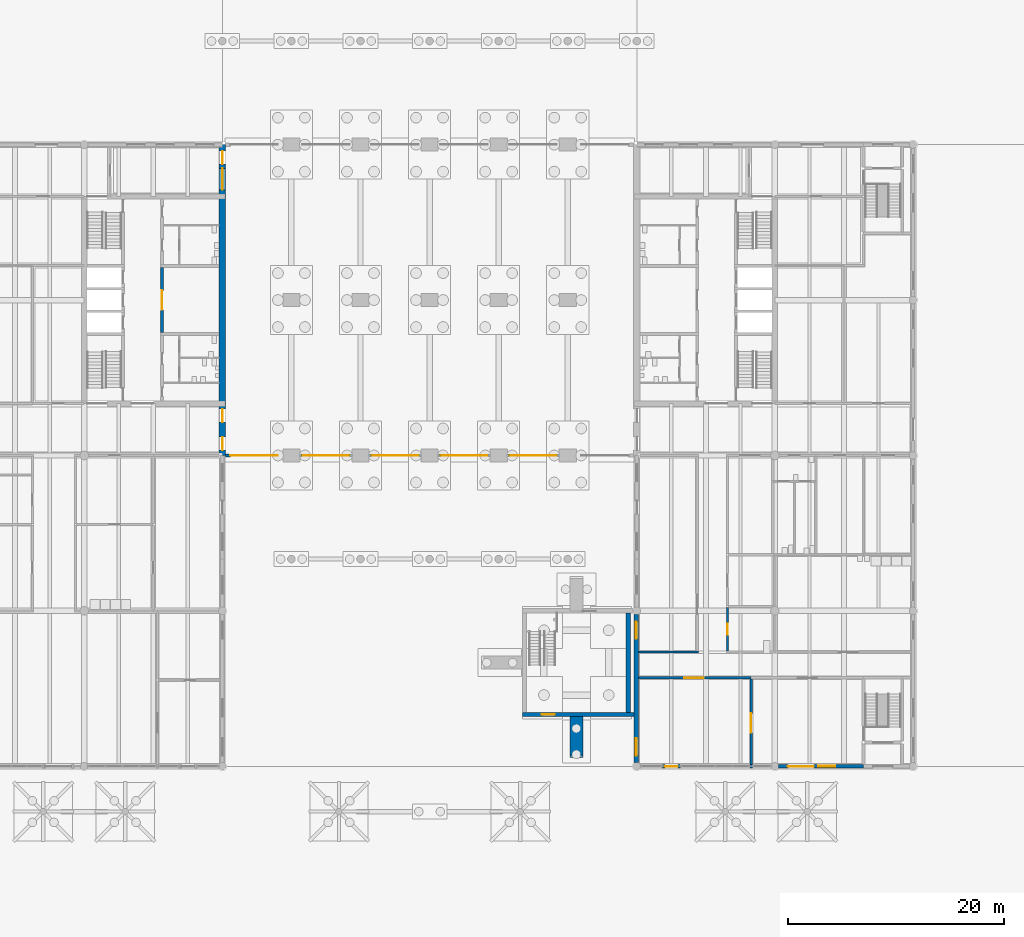
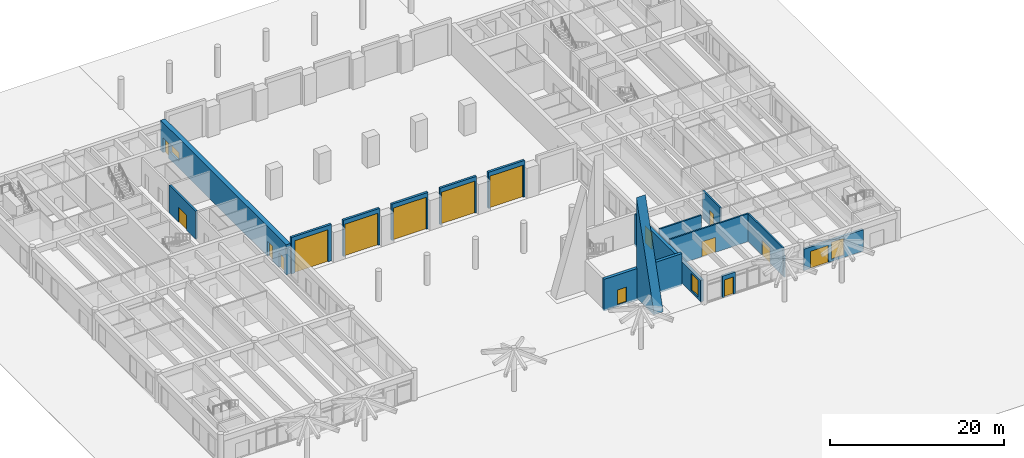
# One storey, part 15 of 28: 18 walls, 15 doors, 4 windows, 19 openings.
"""IFC4 building model written with IfcOpenShell, lengths in metres."""

from ifc_helpers import new_model, si_unit, direction, frame, frame_2d, origin, place, context, subcontext, project, spatial, polyline, rectangle, outline, extrude, material, layer, layer_set, type_object, element, fill, save


model = new_model("IFC4")

# Units and contexts
model_context = context("Model", 3, precision=1e-05, world=origin(), true_north=direction((0.0, 1.0)))
body_context = subcontext(model_context, "Body", "Model", "MODEL_VIEW")
ifc_project = project(units=[si_unit("LENGTHUNIT", "METRE"), si_unit("AREAUNIT", "SQUARE_METRE"), si_unit("VOLUMEUNIT", "CUBIC_METRE"), si_unit("PLANEANGLEUNIT", "RADIAN"), si_unit("MASSUNIT", "GRAM", prefix="KILO")], contexts=[model_context])

# Site, building, storey
site_placement = place(None, origin())
site = spatial("IfcSite", under=ifc_project, at=site_placement, CompositionType="ELEMENT")
building_placement = place(site_placement, origin())
building = spatial("IfcBuilding", under=site, at=building_placement, Name="Fogon Plaza Fire Station and Headquarters Tower", CompositionType="ELEMENT")
storey_placement = place(building_placement, origin())
storey = spatial("IfcBuildingStorey", under=building, at=storey_placement, Name="L00", CompositionType="ELEMENT", Elevation=0.0)

# Wall, opening, door
ifc_material_1 = material(Name="Concrete C40", Category="concrete")
ifc_layer_1 = layer(ifc_material_1, 0.300048828125)
ifc_layer_set_1 = layer_set([ifc_layer_1], Name="Concrete C40")
wall_type_1 = type_object("IfcWallType", Name="Board-marked RC Infill Wall 300", PredefinedType="SOLIDWALL", material=ifc_layer_set_1)
wall_1_placement = place(storey_placement, frame((66.35009765625, 0.0, 0.0), z_axis=(0.0, 0.0, 1.0), x_axis=(1.0, 0.0, 0.0)))
wall_1 = element("IfcWall", 1, at=wall_1_placement, inside=storey, type_object=wall_type_1, Name="Exterior wall ES L00", PredefinedType="SOLIDWALL", context=body_context, shape_type="SweptSolid", body=[
    extrude(rectangle(XDim=1.699951171875, YDim=0.300048828125, at=frame_2d((0.85009765625, 0.0))), origin(), (0.0, 0.0, 1.0), 3.0),
])
opening_1_placement = place(wall_1_placement, frame((0.25, 0.0, 0.0)))
opening_1 = element("IfcOpeningElement", 2, at=opening_1_placement, cuts=wall_1, Name="Opening L00-D08", PredefinedType="OPENING", context=body_context, shape_type="SweptSolid", body=[
    extrude(rectangle(XDim=1.199951171875, YDim=2.39990234375, at=frame_2d((0.60009765625, 1.199951171875))), frame((0.0, 0.159912109375, 0.0), z_axis=(0.0, -1.0, 0.0), x_axis=(1.0, 0.0, 0.0)), (0.0, 0.0, 1.0), 0.320068359375),
])
ifc_material_2 = material(Name="Aluminium and glass", Category="aluminium")
door_type_1 = type_object("IfcDoorType", Name="Entrance Single Glazed 1200x2400", OperationType="SINGLE_SWING_LEFT", PredefinedType="DOOR", material=ifc_material_2)
door_1_placement = place(opening_1_placement, frame((1.199951171875, 0.0, 0.0), z_axis=(0.0, 0.0, 1.0), x_axis=(-1.0, 0.0, 0.0)))
door_1 = element("IfcDoor", 3, at=door_1_placement, inside=storey, type_object=door_type_1, Name="Exterior door L00-D08", OperationType="SINGLE_SWING_RIGHT", OverallHeight=2.39990234375, OverallWidth=1.199951171875, PredefinedType="DOOR", context=body_context, shape_type="SweptSolid", body=[
    extrude(rectangle(XDim=1.199951171875, YDim=2.39990234375, at=frame_2d((0.60009765625, 1.199951171875))), frame((0.0, 0.02490234375, 0.0), z_axis=(0.0, -1.0, 0.0), x_axis=(1.0, 0.0, 0.0)), (0.0, 0.0, 1.0), 0.050048828125),
])
fill(opening_1, door_1)

# Wall
wall_2_placement = place(storey_placement, frame((74.5, 0.0, 0.0), z_axis=(0.0, 0.0, 1.0), x_axis=(1.0, 0.0, 0.0)))
element("IfcWall", 4, at=wall_2_placement, inside=storey, type_object=wall_type_1, Name="Exterior wall ES L00", PredefinedType="SOLIDWALL", context=body_context, shape_type="SweptSolid", body=[
    extrude(rectangle(XDim=0.199951171875, YDim=0.300048828125, at=frame_2d((0.10009765625, 0.0))), origin(), (0.0, 0.0, 1.0), 3.0),
])

# Wall, openings, door, window
wall_3_placement = place(storey_placement, frame((77.14990234375, 0.0, 0.0), z_axis=(0.0, 0.0, 1.0), x_axis=(1.0, 0.0, 0.0)))
wall_3 = element("IfcWall", 5, at=wall_3_placement, inside=storey, type_object=wall_type_1, Name="Exterior wall ES L00", PredefinedType="SOLIDWALL", context=body_context, shape_type="SweptSolid", body=[
    extrude(rectangle(XDim=7.85009765625, YDim=0.300048828125, at=frame_2d((3.925048828125, 0.0))), origin(), (0.0, 0.0, 1.0), 3.0),
])
opening_2_placement = place(wall_3_placement, frame((0.85009765625, 0.0, 0.0)))
opening_2 = element("IfcOpeningElement", 6, at=opening_2_placement, cuts=wall_3, Name="Opening L00-D09", PredefinedType="OPENING", context=body_context, shape_type="SweptSolid", body=[
    extrude(rectangle(XDim=2.39990234375, YDim=2.39990234375, at=frame_2d((1.199951171875, 1.199951171875))), frame((0.0, 0.159912109375, 0.0), z_axis=(0.0, -1.0, 0.0), x_axis=(1.0, 0.0, 0.0)), (0.0, 0.0, 1.0), 0.320068359375),
])
opening_3_placement = place(wall_3_placement, frame((3.64990234375, 0.0, 0.300048828125)))
opening_3 = element("IfcOpeningElement", 7, at=opening_3_placement, cuts=wall_3, Name="Opening W2", PredefinedType="OPENING", context=body_context, shape_type="SweptSolid", body=[
    extrude(rectangle(XDim=1.60009765625, YDim=2.39990234375, at=frame_2d((0.800048828125, 1.199951171875))), frame((0.0, 0.159912109375, 0.0), z_axis=(0.0, -1.0, 0.0), x_axis=(1.0, 0.0, 0.0)), (0.0, 0.0, 1.0), 0.320068359375),
])
ifc_material_3 = material(Name="Steel Door Leaf", Category="steel")
door_type_2 = type_object("IfcDoorType", Name="Service Double 2400x2400", OperationType="SINGLE_SWING_LEFT", PredefinedType="DOOR", material=ifc_material_3)
door_2_placement = place(opening_2_placement, frame((2.39990234375, 0.0, 0.0), z_axis=(0.0, 0.0, 1.0), x_axis=(-1.0, 0.0, 0.0)))
door_2 = element("IfcDoor", 8, at=door_2_placement, inside=storey, type_object=door_type_2, Name="Exterior door L00-D09", OperationType="SINGLE_SWING_RIGHT", OverallHeight=2.39990234375, OverallWidth=2.39990234375, PredefinedType="DOOR", context=body_context, shape_type="SweptSolid", body=[
    extrude(rectangle(XDim=2.39990234375, YDim=2.39990234375, at=frame_2d((1.199951171875, 1.199951171875))), frame((0.0, 0.02490234375, 0.0), z_axis=(0.0, -1.0, 0.0), x_axis=(1.0, 0.0, 0.0)), (0.0, 0.0, 1.0), 0.050048828125),
])
fill(opening_2, door_2)
ifc_material_4 = material(Name="Aluminium framed double glazing", Category="aluminium")
window_type_1 = type_object("IfcWindowType", Name="Window W2 1600x2400", PartitioningType="SINGLE_PANEL", PredefinedType="WINDOW", material=ifc_material_4)
window_1_placement = place(opening_3_placement, origin())
window_1 = element("IfcWindow", 9, at=window_1_placement, inside=storey, type_object=window_type_1, Name="Window W2 S L00", OverallHeight=2.39990234375, OverallWidth=1.60009765625, PartitioningType="SINGLE_PANEL", PredefinedType="WINDOW", context=body_context, shape_type="SweptSolid", body=[
    extrude(rectangle(XDim=1.60009765625, YDim=2.39990234375, at=frame_2d((0.800048828125, 1.199951171875))), frame((0.0, 0.030029296875, 0.0), z_axis=(0.0, -1.0, 0.0), x_axis=(1.0, 0.0, 0.0)), (0.0, 0.0, 1.0), 0.06005859375),
])
fill(opening_3, window_1)

# Wall, opening, door
wall_4_placement = place(storey_placement, frame((25.89990234375, 28.800048828125, 0.0), z_axis=(0.0, 0.0, 1.0), x_axis=(1.0, 0.0, 0.0)))
wall_4 = element("IfcWall", 10, at=wall_4_placement, inside=storey, type_object=wall_type_1, Name="Bay door infill rear 1", PredefinedType="SOLIDWALL", context=body_context, shape_type="SweptSolid", body=[
    extrude(rectangle(XDim=5.300048828125, YDim=0.300048828125, at=frame_2d((2.64990234375, 0.0))), origin(), (0.0, 0.0, 1.0), 5.10009765625),
])
opening_4_placement = place(wall_4_placement, frame((0.449951171875, 0.0, 0.0)))
opening_4 = element("IfcOpeningElement", 11, at=opening_4_placement, cuts=wall_4, Name="Opening L00-D23", PredefinedType="OPENING", context=body_context, shape_type="SweptSolid", body=[
    extrude(rectangle(XDim=4.39990234375, YDim=4.5, at=frame_2d((2.199951171875, 2.25))), frame((0.0, 0.159912109375, 0.0), z_axis=(0.0, -1.0, 0.0), x_axis=(1.0, 0.0, 0.0)), (0.0, 0.0, 1.0), 0.320068359375),
])
ifc_material_5 = material(Name="Insulated steel sections", Category="steel")
door_type_3 = type_object("IfcDoorType", Name="Sectional Overhead Door 4400x4500", OperationType="ROLLINGUP", PredefinedType="DOOR", material=ifc_material_5)
door_3_placement = place(opening_4_placement, frame((4.39990234375, 0.0, 0.0), z_axis=(0.0, 0.0, 1.0), x_axis=(-1.0, 0.0, 0.0)))
door_3 = element("IfcDoor", 12, at=door_3_placement, inside=storey, type_object=door_type_3, Name="Overhead door L00-D23", OperationType="ROLLINGUP", OverallHeight=4.5, OverallWidth=4.39990234375, PredefinedType="DOOR", context=body_context, shape_type="SweptSolid", body=[
    extrude(rectangle(XDim=4.39990234375, YDim=4.5, at=frame_2d((2.199951171875, 2.25))), frame((0.0, 0.02490234375, 0.0), z_axis=(0.0, -1.0, 0.0), x_axis=(1.0, 0.0, 0.0)), (0.0, 0.0, 1.0), 0.050048828125),
])
fill(opening_4, door_3)

wall_5_placement = place(storey_placement, frame((32.800048828125, 28.800048828125, 0.0), z_axis=(0.0, 0.0, 1.0), x_axis=(1.0, 0.0, 0.0)))
wall_5 = element("IfcWall", 13, at=wall_5_placement, inside=storey, type_object=wall_type_1, Name="Bay door infill rear 2", PredefinedType="SOLIDWALL", context=body_context, shape_type="SweptSolid", body=[
    extrude(rectangle(XDim=4.800048828125, YDim=0.300048828125, at=frame_2d((2.39990234375, 0.0))), origin(), (0.0, 0.0, 1.0), 5.10009765625),
])
opening_5_placement = place(wall_5_placement, frame((0.199951171875, 0.0, 0.0)))
opening_5 = element("IfcOpeningElement", 14, at=opening_5_placement, cuts=wall_5, Name="Opening L00-D24", PredefinedType="OPENING", context=body_context, shape_type="SweptSolid", body=[
    extrude(rectangle(XDim=4.39990234375, YDim=4.5, at=frame_2d((2.199951171875, 2.25))), frame((0.0, 0.159912109375, 0.0), z_axis=(0.0, -1.0, 0.0), x_axis=(1.0, 0.0, 0.0)), (0.0, 0.0, 1.0), 0.320068359375),
])
door_4_placement = place(opening_5_placement, frame((4.39990234375, 0.0, 0.0), z_axis=(0.0, 0.0, 1.0), x_axis=(-1.0, 0.0, 0.0)))
door_4 = element("IfcDoor", 15, at=door_4_placement, inside=storey, type_object=door_type_3, Name="Overhead door L00-D24", OperationType="ROLLINGUP", OverallHeight=4.5, OverallWidth=4.39990234375, PredefinedType="DOOR", context=body_context, shape_type="SweptSolid", body=[
    extrude(rectangle(XDim=4.39990234375, YDim=4.5, at=frame_2d((2.199951171875, 2.25))), frame((0.0, 0.02490234375, 0.0), z_axis=(0.0, -1.0, 0.0), x_axis=(1.0, 0.0, 0.0)), (0.0, 0.0, 1.0), 0.050048828125),
])
fill(opening_5, door_4)

wall_6_placement = place(storey_placement, frame((39.199951171875, 28.800048828125, 0.0), z_axis=(0.0, 0.0, 1.0), x_axis=(1.0, 0.0, 0.0)))
wall_6 = element("IfcWall", 16, at=wall_6_placement, inside=storey, type_object=wall_type_1, Name="Bay door infill rear 3", PredefinedType="SOLIDWALL", context=body_context, shape_type="SweptSolid", body=[
    extrude(rectangle(XDim=4.800048828125, YDim=0.300048828125, at=frame_2d((2.39990234375, 0.0))), origin(), (0.0, 0.0, 1.0), 5.10009765625),
])
opening_6_placement = place(wall_6_placement, frame((0.199951171875, 0.0, 0.0)))
opening_6 = element("IfcOpeningElement", 17, at=opening_6_placement, cuts=wall_6, Name="Opening L00-D25", PredefinedType="OPENING", context=body_context, shape_type="SweptSolid", body=[
    extrude(rectangle(XDim=4.39990234375, YDim=4.5, at=frame_2d((2.199951171875, 2.25))), frame((0.0, 0.159912109375, 0.0), z_axis=(0.0, -1.0, 0.0), x_axis=(1.0, 0.0, 0.0)), (0.0, 0.0, 1.0), 0.320068359375),
])
door_5_placement = place(opening_6_placement, frame((4.39990234375, 0.0, 0.0), z_axis=(0.0, 0.0, 1.0), x_axis=(-1.0, 0.0, 0.0)))
door_5 = element("IfcDoor", 18, at=door_5_placement, inside=storey, type_object=door_type_3, Name="Overhead door L00-D25", OperationType="ROLLINGUP", OverallHeight=4.5, OverallWidth=4.39990234375, PredefinedType="DOOR", context=body_context, shape_type="SweptSolid", body=[
    extrude(rectangle(XDim=4.39990234375, YDim=4.5, at=frame_2d((2.199951171875, 2.25))), frame((0.0, 0.02490234375, 0.0), z_axis=(0.0, -1.0, 0.0), x_axis=(1.0, 0.0, 0.0)), (0.0, 0.0, 1.0), 0.050048828125),
])
fill(opening_6, door_5)

wall_7_placement = place(storey_placement, frame((45.60009765625, 28.800048828125, 0.0), z_axis=(0.0, 0.0, 1.0), x_axis=(1.0, 0.0, 0.0)))
wall_7 = element("IfcWall", 19, at=wall_7_placement, inside=storey, type_object=wall_type_1, Name="Bay door infill rear 4", PredefinedType="SOLIDWALL", context=body_context, shape_type="SweptSolid", body=[
    extrude(rectangle(XDim=4.7998046875, YDim=0.300048828125, at=frame_2d((2.39990234375, 0.0))), origin(), (0.0, 0.0, 1.0), 5.10009765625),
])
opening_7_placement = place(wall_7_placement, frame((0.199951171875, 0.0, 0.0)))
opening_7 = element("IfcOpeningElement", 20, at=opening_7_placement, cuts=wall_7, Name="Opening L00-D26", PredefinedType="OPENING", context=body_context, shape_type="SweptSolid", body=[
    extrude(rectangle(XDim=4.39990234375, YDim=4.5, at=frame_2d((2.199951171875, 2.25))), frame((0.0, 0.159912109375, 0.0), z_axis=(0.0, -1.0, 0.0), x_axis=(1.0, 0.0, 0.0)), (0.0, 0.0, 1.0), 0.320068359375),
])
door_6_placement = place(opening_7_placement, frame((4.39990234375, 0.0, 0.0), z_axis=(0.0, 0.0, 1.0), x_axis=(-1.0, 0.0, 0.0)))
door_6 = element("IfcDoor", 21, at=door_6_placement, inside=storey, type_object=door_type_3, Name="Overhead door L00-D26", OperationType="ROLLINGUP", OverallHeight=4.5, OverallWidth=4.39990234375, PredefinedType="DOOR", context=body_context, shape_type="SweptSolid", body=[
    extrude(rectangle(XDim=4.39990234375, YDim=4.5, at=frame_2d((2.199951171875, 2.25))), frame((0.0, 0.02490234375, 0.0), z_axis=(0.0, -1.0, 0.0), x_axis=(1.0, 0.0, 0.0)), (0.0, 0.0, 1.0), 0.050048828125),
])
fill(opening_7, door_6)

wall_8_placement = place(storey_placement, frame((52.0, 28.800048828125, 0.0), z_axis=(0.0, 0.0, 1.0), x_axis=(1.0, 0.0, 0.0)))
wall_8 = element("IfcWall", 22, at=wall_8_placement, inside=storey, type_object=wall_type_1, Name="Bay door infill rear 5", PredefinedType="SOLIDWALL", context=body_context, shape_type="SweptSolid", body=[
    extrude(rectangle(XDim=4.800048828125, YDim=0.300048828125, at=frame_2d((2.39990234375, 0.0))), origin(), (0.0, 0.0, 1.0), 5.10009765625),
])
opening_8_placement = place(wall_8_placement, frame((0.199951171875, 0.0, 0.0)))
opening_8 = element("IfcOpeningElement", 23, at=opening_8_placement, cuts=wall_8, Name="Opening L00-D27", PredefinedType="OPENING", context=body_context, shape_type="SweptSolid", body=[
    extrude(rectangle(XDim=4.39990234375, YDim=4.5, at=frame_2d((2.199951171875, 2.25))), frame((0.0, 0.159912109375, 0.0), z_axis=(0.0, -1.0, 0.0), x_axis=(1.0, 0.0, 0.0)), (0.0, 0.0, 1.0), 0.320068359375),
])
door_7_placement = place(opening_8_placement, frame((4.39990234375, 0.0, 0.0), z_axis=(0.0, 0.0, 1.0), x_axis=(-1.0, 0.0, 0.0)))
door_7 = element("IfcDoor", 24, at=door_7_placement, inside=storey, type_object=door_type_3, Name="Overhead door L00-D27", OperationType="ROLLINGUP", OverallHeight=4.5, OverallWidth=4.39990234375, PredefinedType="DOOR", context=body_context, shape_type="SweptSolid", body=[
    extrude(rectangle(XDim=4.39990234375, YDim=4.5, at=frame_2d((2.199951171875, 2.25))), frame((0.0, 0.02490234375, 0.0), z_axis=(0.0, -1.0, 0.0), x_axis=(1.0, 0.0, 0.0)), (0.0, 0.0, 1.0), 0.050048828125),
])
fill(opening_8, door_7)

# Wall, openings, windows
ifc_material_6 = material(Name="Concrete C40", Category="concrete")
ifc_layer_2 = layer(ifc_material_6, 0.39990234375)
ifc_layer_set_2 = layer_set([ifc_layer_2], Name="Concrete C40")
wall_type_2 = type_object("IfcWallType", Name="Board-marked RC Infill Wall 400", PredefinedType="SOLIDWALL", material=ifc_layer_set_2)
wall_9_placement = place(storey_placement, frame((63.949951171875, 0.35009765625, 0.0), z_axis=(0.0, 0.0, 1.0), x_axis=(0.0, 1.0, 0.0)))
wall_9 = element("IfcWall", 25, at=wall_9_placement, inside=storey, type_object=wall_type_2, Name="Exterior wall EW L00", PredefinedType="SOLIDWALL", context=body_context, shape_type="SweptSolid", body=[
    extrude(rectangle(XDim=13.699951171875, YDim=0.39990234375, at=frame_2d((6.85009765625, 0.0))), origin(), (0.0, 0.0, 1.0), 3.0),
])
opening_9_placement = place(wall_9_placement, frame((0.64990234375, 0.0, 0.300048828125)))
opening_9 = element("IfcOpeningElement", 26, at=opening_9_placement, cuts=wall_9, Name="Opening W2", PredefinedType="OPENING", context=body_context, shape_type="SweptSolid", body=[
    extrude(rectangle(XDim=1.60009765625, YDim=2.39990234375, at=frame_2d((0.800048828125, 1.199951171875))), frame((0.0, 0.2099609375, 0.0), z_axis=(0.0, -1.0, 0.0), x_axis=(1.0, 0.0, 0.0)), (0.0, 0.0, 1.0), 0.419921875),
])
opening_10_placement = place(wall_9_placement, frame((11.449951171875, 0.0, 0.300048828125)))
opening_10 = element("IfcOpeningElement", 27, at=opening_10_placement, cuts=wall_9, Name="Opening W2", PredefinedType="OPENING", context=body_context, shape_type="SweptSolid", body=[
    extrude(rectangle(XDim=1.60009765625, YDim=2.39990234375, at=frame_2d((0.800048828125, 1.199951171875))), frame((0.0, 0.2099609375, 0.0), z_axis=(0.0, -1.0, 0.0), x_axis=(1.0, 0.0, 0.0)), (0.0, 0.0, 1.0), 0.419921875),
])
window_2_placement = place(opening_9_placement, origin())
window_2 = element("IfcWindow", 28, at=window_2_placement, inside=storey, type_object=window_type_1, Name="Window W2 W L00", OverallHeight=2.39990234375, OverallWidth=1.60009765625, PartitioningType="SINGLE_PANEL", PredefinedType="WINDOW", context=body_context, shape_type="SweptSolid", body=[
    extrude(rectangle(XDim=1.60009765625, YDim=2.39990234375, at=frame_2d((0.800048828125, 1.199951171875))), frame((0.0, 0.030029296875, 0.0), z_axis=(0.0, -1.0, 0.0), x_axis=(1.0, 0.0, 0.0)), (0.0, 0.0, 1.0), 0.06005859375),
])
fill(opening_9, window_2)
window_3_placement = place(opening_10_placement, origin())
window_3 = element("IfcWindow", 29, at=window_3_placement, inside=storey, type_object=window_type_1, Name="Window W2 W L00", OverallHeight=2.39990234375, OverallWidth=1.60009765625, PartitioningType="SINGLE_PANEL", PredefinedType="WINDOW", context=body_context, shape_type="SweptSolid", body=[
    extrude(rectangle(XDim=1.60009765625, YDim=2.39990234375, at=frame_2d((0.800048828125, 1.199951171875))), frame((0.0, 0.030029296875, 0.0), z_axis=(0.0, -1.0, 0.0), x_axis=(1.0, 0.0, 0.0)), (0.0, 0.0, 1.0), 0.06005859375),
])
fill(opening_10, window_3)

# Wall, opening, door
ifc_material_7 = material(Name="Concrete C40", Category="concrete")
ifc_layer_3 = layer(ifc_material_7, 0.25)
ifc_layer_set_3 = layer_set([ifc_layer_3], Name="Concrete C40")
wall_type_3 = type_object("IfcWallType", Name="Core Wall RC 250", PredefinedType="SOLIDWALL", material=ifc_layer_set_3)
wall_10_placement = place(storey_placement, frame((20.0, 40.175048828125, 0.0), z_axis=(0.0, 0.0, 1.0), x_axis=(0.0, 1.0, 0.0)))
wall_10 = element("IfcWall", 30, at=wall_10_placement, inside=storey, type_object=wall_type_3, Name="Core A shaft wall", PredefinedType="SOLIDWALL", context=body_context, shape_type="SweptSolid", body=[
    extrude(rectangle(XDim=6.050048828125, YDim=0.25, at=frame_2d((3.02490234375, 0.0))), origin(), (0.0, 0.0, 1.0), 3.89990234375),
])
opening_11_placement = place(wall_10_placement, frame((2.125, 0.0, 0.0)))
opening_11 = element("IfcOpeningElement", 31, at=opening_11_placement, cuts=wall_10, Name="Opening L00-D34", PredefinedType="OPENING", context=body_context, shape_type="SweptSolid", body=[
    extrude(rectangle(XDim=1.800048828125, YDim=2.10009765625, at=frame_2d((0.89990234375, 1.050048828125))), frame((0.0, 0.135009765625, 0.0), z_axis=(0.0, -1.0, 0.0), x_axis=(1.0, 0.0, 0.0)), (0.0, 0.0, 1.0), 0.27001953125),
])
ifc_material_8 = material(Name="Steel Fire Door Leaf", Category="steel")
door_type_4 = type_object("IfcDoorType", Name="Store Double 1800x2100", OperationType="DOUBLE_DOOR_SINGLE_SWING", PredefinedType="DOOR", material=ifc_material_8)
door_8_placement = place(opening_11_placement, frame((1.800048828125, 0.0, 0.0), z_axis=(0.0, 0.0, 1.0), x_axis=(-1.0, 0.0, 0.0)))
door_8 = element("IfcDoor", 32, at=door_8_placement, inside=storey, type_object=door_type_4, Name="Service store A door", OperationType="DOUBLE_DOOR_SINGLE_SWING", OverallHeight=2.10009765625, OverallWidth=1.800048828125, PredefinedType="DOOR", context=body_context, shape_type="SweptSolid", body=[
    extrude(rectangle(XDim=1.800048828125, YDim=2.10009765625, at=frame_2d((0.89990234375, 1.050048828125))), frame((0.0, 0.02490234375, 0.0), z_axis=(0.0, -1.0, 0.0), x_axis=(1.0, 0.0, 0.0)), (0.0, 0.0, 1.0), 0.050048828125),
])
fill(opening_11, door_8)

ifc_material_9 = material(Name="Gypsum Board Fire Partition")
ifc_layer_4 = layer(ifc_material_9, 0.199951171875)
ifc_layer_set_4 = layer_set([ifc_layer_4], Name="Gypsum Board Fire Partition")
wall_type_4 = type_object("IfcWallType", Name="Corridor Wall EI 60", PredefinedType="PARTITIONING", material=ifc_layer_set_4)
wall_11_placement = place(storey_placement, frame((74.60009765625, 8.199951171875, 0.0), z_axis=(0.0, 0.0, 1.0), x_axis=(-1.0, 0.0, 0.0)))
wall_11 = element("IfcWall", 33, at=wall_11_placement, inside=storey, type_object=wall_type_4, Name="wall-L00-E-005", PredefinedType="PARTITIONING", context=body_context, shape_type="SweptSolid", body=[
    extrude(rectangle(XDim=10.4501953125, YDim=0.199951171875, at=frame_2d((5.22509765625, 0.0))), origin(), (0.0, 0.0, 1.0), 3.89990234375),
])
opening_12_placement = place(wall_11_placement, frame((4.39990234375, 0.0, 0.0)))
opening_12 = element("IfcOpeningElement", 34, at=opening_12_placement, cuts=wall_11, Name="Opening L00-D84", PredefinedType="OPENING", context=body_context, shape_type="SweptSolid", body=[
    extrude(rectangle(XDim=1.800048828125, YDim=2.10009765625, at=frame_2d((0.89990234375, 1.050048828125))), frame((0.0, 0.10986328125, 0.0), z_axis=(0.0, -1.0, 0.0), x_axis=(1.0, 0.0, 0.0)), (0.0, 0.0, 1.0), 0.219970703125),
])
ifc_material_10 = material(Name="Steel Fire Door Leaf", Category="steel")
door_type_5 = type_object("IfcDoorType", Name="Corridor Door Double EI 20 1800x2100", OperationType="SINGLE_SWING_LEFT", PredefinedType="DOOR", material=ifc_material_10)
door_9_placement = place(opening_12_placement, frame((1.800048828125, 0.0, 0.0), z_axis=(0.0, 0.0, 1.0), x_axis=(-1.0, 0.0, 0.0)))
door_9 = element("IfcDoor", 35, at=door_9_placement, inside=storey, type_object=door_type_5, Name="door-L00-E-05", OperationType="DOUBLE_DOOR_SINGLE_SWING", OverallHeight=2.10009765625, OverallWidth=1.800048828125, PredefinedType="DOOR", context=body_context, shape_type="SweptSolid", body=[
    extrude(rectangle(XDim=1.800048828125, YDim=2.10009765625, at=frame_2d((0.89990234375, 1.050048828125))), frame((0.0, 0.02490234375, 0.0), z_axis=(0.0, -1.0, 0.0), x_axis=(1.0, 0.0, 0.0)), (0.0, 0.0, 1.0), 0.050048828125),
])
fill(opening_12, door_9)

# Wall
wall_12_placement = place(storey_placement, frame((69.699951171875, 10.60009765625, 0.0), z_axis=(0.0, 0.0, 1.0), x_axis=(-1.0, 0.0, 0.0)))
element("IfcWall", 36, at=wall_12_placement, inside=storey, type_object=wall_type_4, Name="wall-L00-E-008", PredefinedType="PARTITIONING", context=body_context, shape_type="SweptSolid", body=[
    extrude(rectangle(XDim=5.550048828125, YDim=0.199951171875, at=frame_2d((2.77490234375, 0.0))), origin(), (0.0, 0.0, 1.0), 3.89990234375),
])

# Wall, opening, door
wall_13_placement = place(storey_placement, frame((74.60009765625, 0.14990234375, 0.0), z_axis=(0.0, 0.0, 1.0), x_axis=(0.0, 1.0, 0.0)))
wall_13 = element("IfcWall", 37, at=wall_13_placement, inside=storey, type_object=wall_type_4, Name="wall-L00-E-049", PredefinedType="PARTITIONING", context=body_context, shape_type="SweptSolid", body=[
    extrude(rectangle(XDim=7.9501953125, YDim=0.199951171875, at=frame_2d((3.97509765625, 0.0))), origin(), (0.0, 0.0, 1.0), 3.89990234375),
])
opening_13_placement = place(wall_13_placement, frame((2.949951171875, 0.0, 0.0)))
opening_13 = element("IfcOpeningElement", 38, at=opening_13_placement, cuts=wall_13, Name="Opening L00-D82", PredefinedType="OPENING", context=body_context, shape_type="SweptSolid", body=[
    extrude(rectangle(XDim=1.800048828125, YDim=2.10009765625, at=frame_2d((0.89990234375, 1.050048828125))), frame((0.0, 0.10986328125, 0.0), z_axis=(0.0, -1.0, 0.0), x_axis=(1.0, 0.0, 0.0)), (0.0, 0.0, 1.0), 0.219970703125),
])
door_10_placement = place(opening_13_placement, frame((1.800048828125, 0.0, 0.0), z_axis=(0.0, 0.0, 1.0), x_axis=(-1.0, 0.0, 0.0)))
door_10 = element("IfcDoor", 39, at=door_10_placement, inside=storey, type_object=door_type_5, Name="door-L00-E-03", OperationType="DOUBLE_DOOR_SINGLE_SWING", OverallHeight=2.10009765625, OverallWidth=1.800048828125, PredefinedType="DOOR", context=body_context, shape_type="SweptSolid", body=[
    extrude(rectangle(XDim=1.800048828125, YDim=2.10009765625, at=frame_2d((0.89990234375, 1.050048828125))), frame((0.0, 0.02490234375, 0.0), z_axis=(0.0, -1.0, 0.0), x_axis=(1.0, 0.0, 0.0)), (0.0, 0.0, 1.0), 0.050048828125),
])
fill(opening_13, door_10)

wall_14_placement = place(storey_placement, frame((72.39990234375, 10.699951171875, 0.0), z_axis=(0.0, 0.0, 1.0), x_axis=(0.0, 1.0, 0.0)))
wall_14 = element("IfcWall", 40, at=wall_14_placement, inside=storey, type_object=wall_type_4, Name="wall-L00-E-051", PredefinedType="PARTITIONING", context=body_context, shape_type="SweptSolid", body=[
    extrude(rectangle(XDim=4.012451171875, YDim=0.199951171875, at=frame_2d((2.00634765625, 0.0))), origin(), (0.0, 0.0, 1.0), 3.89990234375),
])
opening_14_placement = place(wall_14_placement, frame((1.5, 0.0, 0.0)))
opening_14 = element("IfcOpeningElement", 41, at=opening_14_placement, cuts=wall_14, Name="Opening L00-D86", PredefinedType="OPENING", context=body_context, shape_type="SweptSolid", body=[
    extrude(rectangle(XDim=1.0, YDim=2.10009765625, at=frame_2d((0.5, 1.050048828125))), frame((0.0, 0.10986328125, 0.0), z_axis=(0.0, -1.0, 0.0), x_axis=(1.0, 0.0, 0.0)), (0.0, 0.0, 1.0), 0.219970703125),
])
ifc_material_11 = material(Name="Steel Fire Door Leaf", Category="steel")
door_type_6 = type_object("IfcDoorType", Name="Corridor Door EI 20 1000x2100", OperationType="SINGLE_SWING_LEFT", PredefinedType="DOOR", material=ifc_material_11)
door_11_placement = place(opening_14_placement, frame((1.0, 0.0, 0.0), z_axis=(0.0, 0.0, 1.0), x_axis=(-1.0, 0.0, 0.0)))
door_11 = element("IfcDoor", 42, at=door_11_placement, inside=storey, type_object=door_type_6, Name="door-L00-E-07", OperationType="SINGLE_SWING_RIGHT", OverallHeight=2.10009765625, OverallWidth=1.0, PredefinedType="DOOR", context=body_context, shape_type="SweptSolid", body=[
    extrude(rectangle(XDim=1.0, YDim=2.10009765625, at=frame_2d((0.5, 1.050048828125))), frame((0.0, 0.02490234375, 0.0), z_axis=(0.0, -1.0, 0.0), x_axis=(1.0, 0.0, 0.0)), (0.0, 0.0, 1.0), 0.050048828125),
])
fill(opening_14, door_11)

# Wall
ifc_material_12 = material(Name="Concrete C40", Category="concrete")
ifc_layer_5 = layer(ifc_material_12, 1.199951171875)
ifc_layer_set_5 = layer_set([ifc_layer_5], Name="Concrete C40")
wall_type_5 = type_object("IfcWallType", Name="Shear wall 1200 BT120", PredefinedType="SHEAR", material=ifc_layer_set_5)
wall_15_placement = place(storey_placement, frame((58.39990234375, 0.800048828125, 0.0), z_axis=(0.0, 0.0, 1.0), x_axis=(0.0, 1.0, 0.0)))
element("IfcWall", 43, at=wall_15_placement, inside=storey, type_object=wall_type_5, Name="wall-drill-buttress-south", PredefinedType="SHEAR", context=body_context, shape_type="SweptSolid", body=[
    extrude(outline(polyline([(0.0, 0.0), (4.0, 0.0), (4.0, 14.0), (0.0, 0.39990234375), (0.0, 0.0)])), frame((0.0, 0.60009765625, 0.0), z_axis=(0.0, -1.0, 0.0), x_axis=(1.0, 0.0, 0.0)), (0.0, 0.0, 1.0), 1.199951171875),
])

# Wall, opening, door
ifc_material_13 = material(Name="Concrete C40", Category="concrete")
ifc_layer_6 = layer(ifc_material_13, 0.39990234375)
ifc_layer_set_6 = layer_set([ifc_layer_6], Name="Concrete C40")
wall_type_6 = type_object("IfcWallType", Name="Shear wall 400 DW40", PredefinedType="SHEAR", material=ifc_layer_set_6)
wall_16_placement = place(storey_placement, frame((53.39990234375, 4.800048828125, -0.25), z_axis=(0.0, 0.0, 1.0), x_axis=(1.0, 0.0, 0.0)))
wall_16 = element("IfcWall", 44, at=wall_16_placement, inside=storey, type_object=wall_type_6, Name="wall-drill-S-L00", PredefinedType="SHEAR", context=body_context, shape_type="SweptSolid", body=[
    extrude(rectangle(XDim=10.35009765625, YDim=0.39990234375, at=frame_2d((5.175048828125, 0.0))), origin(), (0.0, 0.0, 1.0), 4.449951171875),
])
opening_15_placement = place(wall_16_placement, frame((1.800048828125, 0.0, 0.25)))
opening_15 = element("IfcOpeningElement", 45, at=opening_15_placement, cuts=wall_16, Name="Opening L00-D16", PredefinedType="OPENING", context=body_context, shape_type="SweptSolid", body=[
    extrude(rectangle(XDim=1.199951171875, YDim=2.10009765625, at=frame_2d((0.60009765625, 1.050048828125))), frame((0.0, 0.2099609375, 0.0), z_axis=(0.0, -1.0, 0.0), x_axis=(1.0, 0.0, 0.0)), (0.0, 0.0, 1.0), 0.419921875),
])
ifc_material_14 = material(Name="Steel Door Leaf", Category="steel")
door_type_7 = type_object("IfcDoorType", Name="Exit Single 1200x2100", OperationType="SINGLE_SWING_LEFT", PredefinedType="DOOR", material=ifc_material_14)
door_12_placement = place(opening_15_placement, frame((1.199951171875, 0.0, 0.0), z_axis=(0.0, 0.0, 1.0), x_axis=(-1.0, 0.0, 0.0)))
door_12 = element("IfcDoor", 46, at=door_12_placement, inside=storey, type_object=door_type_7, Name="Exterior door L00-D16", OperationType="SINGLE_SWING_LEFT", OverallHeight=2.10009765625, OverallWidth=1.199951171875, PredefinedType="DOOR", context=body_context, shape_type="SweptSolid", body=[
    extrude(rectangle(XDim=1.199951171875, YDim=2.10009765625, at=frame_2d((0.60009765625, 1.050048828125))), frame((0.0, 0.02490234375, 0.0), z_axis=(0.0, -1.0, 0.0), x_axis=(1.0, 0.0, 0.0)), (0.0, 0.0, 1.0), 0.050048828125),
])
fill(opening_15, door_12)

# Wall
wall_17_placement = place(storey_placement, frame((63.199951171875, 5.0, -0.25), z_axis=(0.0, 0.0, 1.0), x_axis=(0.0, 1.0, 0.0)))
element("IfcWall", 47, at=wall_17_placement, inside=storey, type_object=wall_type_6, Name="wall-drill-E-L00", PredefinedType="SHEAR", context=body_context, shape_type="SweptSolid", body=[
    extrude(rectangle(XDim=9.199951171875, YDim=0.39990234375, at=frame_2d((4.60009765625, 0.0))), origin(), (0.0, 0.0, 1.0), 4.449951171875),
])

# Wall, openings, doors, window
ifc_material_15 = material(Name="Concrete C40", Category="concrete")
ifc_layer_7 = layer(ifc_material_15, 0.60009765625)
ifc_layer_set_7 = layer_set([ifc_layer_7], Name="Concrete C40")
wall_type_7 = type_object("IfcWallType", Name="Shear wall 600 BW60", PredefinedType="SHEAR", material=ifc_layer_set_7)
wall_18_placement = place(storey_placement, frame((25.60009765625, 28.800048828125, 0.0), z_axis=(0.0, 0.0, 1.0), x_axis=(0.0, 1.0, 0.0)))
wall_18 = element("IfcWall", 48, at=wall_18_placement, inside=storey, type_object=wall_type_7, Name="wall-bay-W-L00", PredefinedType="SHEAR", context=body_context, shape_type="SweptSolid", body=[
    extrude(rectangle(XDim=28.800048828125, YDim=0.60009765625, at=frame_2d((14.39990234375, 0.0))), origin(), (0.0, 0.0, 1.0), 4.199951171875),
])
opening_16_placement = place(wall_18_placement, frame((0.5, 0.0, 0.0)))
opening_16 = element("IfcOpeningElement", 49, at=opening_16_placement, cuts=wall_18, Name="Opening L00-D101", PredefinedType="OPENING", context=body_context, shape_type="SweptSolid", body=[
    extrude(rectangle(XDim=1.199951171875, YDim=2.10009765625, at=frame_2d((0.60009765625, 1.050048828125))), frame((0.0, 0.31005859375, 0.0), z_axis=(0.0, -1.0, 0.0), x_axis=(1.0, 0.0, 0.0)), (0.0, 0.0, 1.0), 0.6201171875),
])
opening_17_placement = place(wall_18_placement, frame((3.10009765625, 0.0, 0.0)))
opening_17 = element("IfcOpeningElement", 50, at=opening_17_placement, cuts=wall_18, Name="Opening L00-D102", PredefinedType="OPENING", context=body_context, shape_type="SweptSolid", body=[
    extrude(rectangle(XDim=1.199951171875, YDim=2.10009765625, at=frame_2d((0.60009765625, 1.050048828125))), frame((0.0, 0.31005859375, 0.0), z_axis=(0.0, -1.0, 0.0), x_axis=(1.0, 0.0, 0.0)), (0.0, 0.0, 1.0), 0.6201171875),
])
opening_18_placement = place(wall_18_placement, frame((27.0, 0.0, 0.0)))
opening_18 = element("IfcOpeningElement", 51, at=opening_18_placement, cuts=wall_18, Name="Opening L00-D105", PredefinedType="OPENING", context=body_context, shape_type="SweptSolid", body=[
    extrude(rectangle(XDim=1.199951171875, YDim=2.10009765625, at=frame_2d((0.60009765625, 1.050048828125))), frame((0.0, 0.31005859375, 0.0), z_axis=(0.0, -1.0, 0.0), x_axis=(1.0, 0.0, 0.0)), (0.0, 0.0, 1.0), 0.6201171875),
])
opening_19_placement = place(wall_18_placement, frame((24.60009765625, 0.0, 1.0)))
opening_19 = element("IfcOpeningElement", 52, at=opening_19_placement, cuts=wall_18, Name="Opening W-WR", PredefinedType="OPENING", context=body_context, shape_type="SweptSolid", body=[
    extrude(rectangle(XDim=2.0, YDim=1.199951171875, at=frame_2d((1.0, 0.60009765625))), frame((0.0, 0.31005859375, 0.0), z_axis=(0.0, -1.0, 0.0), x_axis=(1.0, 0.0, 0.0)), (0.0, 0.0, 1.0), 0.6201171875),
])
ifc_material_16 = material(Name="Steel Fire Door Leaf", Category="steel")
door_type_8 = type_object("IfcDoorType", Name="Bay Personnel 1200x2100", OperationType="SINGLE_SWING_LEFT", PredefinedType="DOOR", material=ifc_material_16)
door_13_placement = place(opening_16_placement, origin())
door_13 = element("IfcDoor", 53, at=door_13_placement, inside=storey, type_object=door_type_8, Name="door-L00-bay-W1", OperationType="SINGLE_SWING_LEFT", OverallHeight=2.10009765625, OverallWidth=1.199951171875, PredefinedType="DOOR", context=body_context, shape_type="SweptSolid", body=[
    extrude(rectangle(XDim=1.199951171875, YDim=2.10009765625, at=frame_2d((0.60009765625, 1.050048828125))), frame((0.0, 0.02490234375, 0.0), z_axis=(0.0, -1.0, 0.0), x_axis=(1.0, 0.0, 0.0)), (0.0, 0.0, 1.0), 0.050048828125),
])
fill(opening_16, door_13)
door_14_placement = place(opening_17_placement, origin())
door_14 = element("IfcDoor", 54, at=door_14_placement, inside=storey, type_object=door_type_8, Name="door-L00-bay-W2", OperationType="SINGLE_SWING_RIGHT", OverallHeight=2.10009765625, OverallWidth=1.199951171875, PredefinedType="DOOR", context=body_context, shape_type="SweptSolid", body=[
    extrude(rectangle(XDim=1.199951171875, YDim=2.10009765625, at=frame_2d((0.60009765625, 1.050048828125))), frame((0.0, 0.02490234375, 0.0), z_axis=(0.0, -1.0, 0.0), x_axis=(1.0, 0.0, 0.0)), (0.0, 0.0, 1.0), 0.050048828125),
])
fill(opening_17, door_14)
door_15_placement = place(opening_18_placement, origin())
door_15 = element("IfcDoor", 55, at=door_15_placement, inside=storey, type_object=door_type_8, Name="door-L00-watch-bay", OperationType="SINGLE_SWING_RIGHT", OverallHeight=2.10009765625, OverallWidth=1.199951171875, PredefinedType="DOOR", context=body_context, shape_type="SweptSolid", body=[
    extrude(rectangle(XDim=1.199951171875, YDim=2.10009765625, at=frame_2d((0.60009765625, 1.050048828125))), frame((0.0, 0.02490234375, 0.0), z_axis=(0.0, -1.0, 0.0), x_axis=(1.0, 0.0, 0.0)), (0.0, 0.0, 1.0), 0.050048828125),
])
fill(opening_18, door_15)
ifc_material_17 = material(Name="Glass", Category="glass")
window_type_2 = type_object("IfcWindowType", Name="Watch Room Window 2000x1200", PartitioningType="SINGLE_PANEL", PredefinedType="WINDOW", material=ifc_material_17)
window_4_placement = place(opening_19_placement, origin())
window_4 = element("IfcWindow", 56, at=window_4_placement, inside=storey, type_object=window_type_2, Name="window-L00-watch-bay", OverallHeight=1.199951171875, OverallWidth=2.0, PartitioningType="SINGLE_PANEL", PredefinedType="WINDOW", context=body_context, shape_type="SweptSolid", body=[
    extrude(rectangle(XDim=2.0, YDim=1.199951171875, at=frame_2d((1.0, 0.60009765625))), frame((0.0, 0.030029296875, 0.0), z_axis=(0.0, -1.0, 0.0), x_axis=(1.0, 0.0, 0.0)), (0.0, 0.0, 1.0), 0.06005859375),
])
fill(opening_19, window_4)

save(model, "model.ifc")
